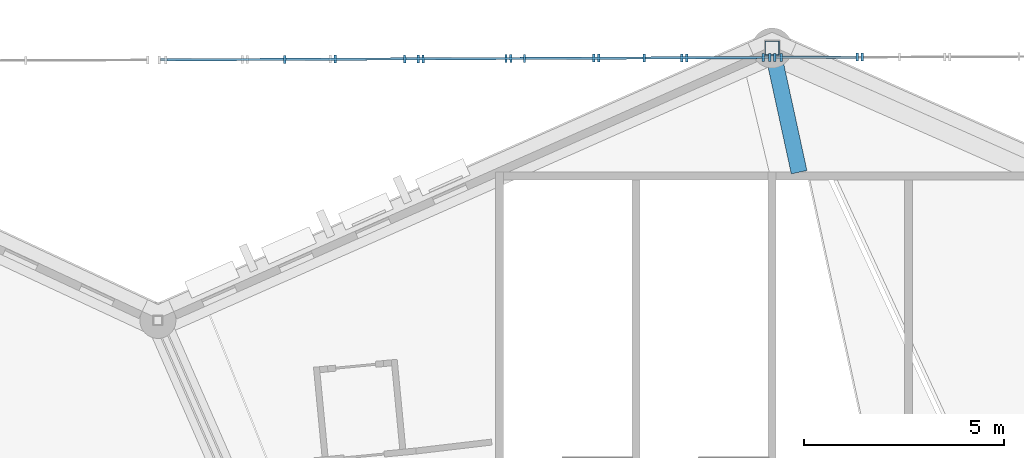
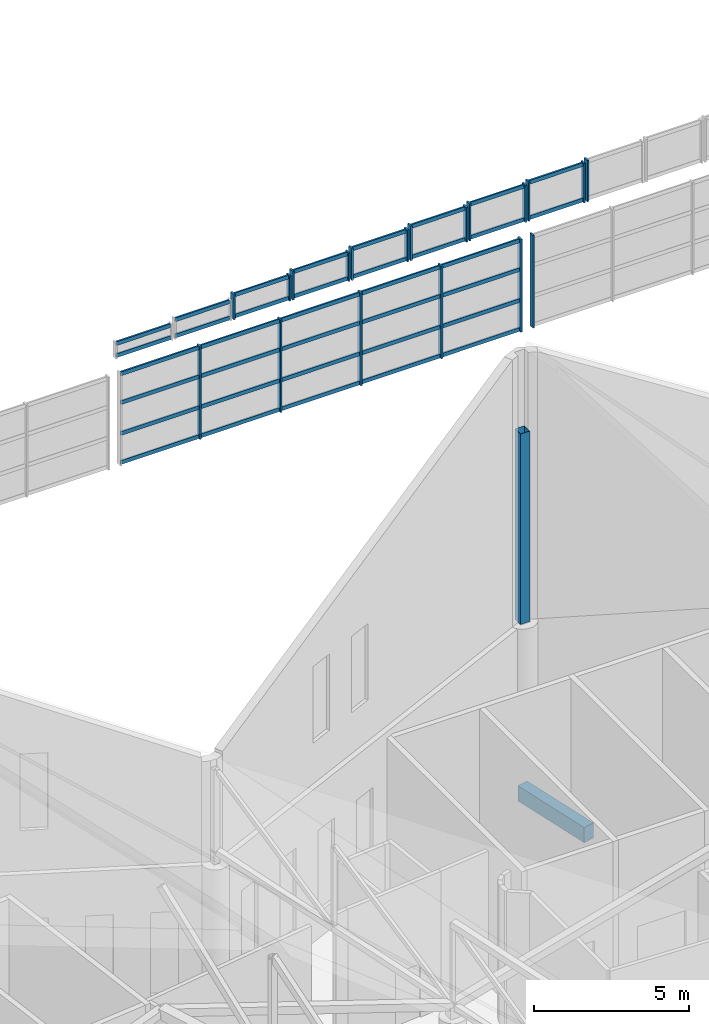
# One storey, part 167 of 344: 56 members, 1 beam, 11 elements without a shape of their own.
"""IFC4 building model written with IfcOpenShell, lengths in metres."""

from ifc_helpers import new_model, si_unit, direction, frame, origin, origin_2d, place, context, subcontext, project, spatial, rectangle, hollow_rectangle, extrude, material, layer, layer_set, material_profile, profile_set, type_object, element, aggregate, save


model = new_model("IFC4")

# Units and contexts
model_context = context("Model", 3, precision=1e-05, world=origin(), true_north=direction((0.0, 1.0)))
body_context = subcontext(model_context, "Body", "Model", "MODEL_VIEW")
ifc_project = project(units=[si_unit("LENGTHUNIT", "METRE"), si_unit("AREAUNIT", "SQUARE_METRE"), si_unit("VOLUMEUNIT", "CUBIC_METRE"), si_unit("PLANEANGLEUNIT", "RADIAN"), si_unit("MASSUNIT", "GRAM", prefix="KILO")], contexts=[model_context])

# Site, building, storey
site_placement = place(None, origin())
site = spatial("IfcSite", under=ifc_project, at=site_placement, CompositionType="ELEMENT")
building_placement = place(site_placement, origin())
building = spatial("IfcBuilding", under=site, at=building_placement, Name="Meseta Stadium", CompositionType="ELEMENT")
storey_placement = place(building_placement, frame((0.0, 0.0, 24.0)))
storey = spatial("IfcBuildingStorey", under=building, at=storey_placement, Name="L04", CompositionType="ELEMENT", Elevation=24.0)

# Curtain wall, member
ifc_material_1 = material(Name="Aluminium", Category="aluminium")
ifc_layer = layer(ifc_material_1, 0.199951171875)
ifc_layer_set = layer_set([ifc_layer], Name="Gable glazing curtain wall")
curtain_wall_type = type_object("IfcCurtainWallType", Name="Gable glazing curtain wall", PredefinedType="NOTDEFINED", material=ifc_layer_set)
curtain_wall_1_placement = place(storey_placement, origin())
curtain_wall_1 = element("IfcCurtainWall", 1, at=curtain_wall_1_placement, inside=storey, type_object=curtain_wall_type, Name="Gable glazing north bay 27", PredefinedType="NOTDEFINED")
ifc_material_2 = material(Name="Aluminium", Category="aluminium")
ifc_material_profile_1 = material_profile(ifc_material_2, rectangle(XDim=0.199951171875, YDim=0.06005859375, at=origin_2d()), Name="CW 200x60")
ifc_profile_set_1 = profile_set([ifc_material_profile_1], Name="Aluminium")
member_type_1 = type_object("IfcMemberType", Name="CW mullion 60x200", PredefinedType="MULLION", material=ifc_profile_set_1)
member_1_placement = place(storey_placement, frame((-20.75048828125, 105.172607421875, 21.85498046875), z_axis=(0.0, 0.0, 1.0), x_axis=(0.003847534233, -0.999992598213, 0.0)))
member_1 = element("IfcMember", 2, at=member_1_placement, type_object=member_type_1, Name="CWG mullion 2", PredefinedType="MULLION", context=body_context, shape_type="SweptSolid", body=[
    extrude(rectangle(XDim=0.199951171875, YDim=0.06005859375, at=origin_2d()), origin(), (0.0, 0.0, 1.0), 1.615966796875),
])
aggregate(curtain_wall_1, [member_1])

# Curtain wall, members
curtain_wall_2_placement = place(storey_placement, origin())
curtain_wall_2 = element("IfcCurtainWall", 3, at=curtain_wall_2_placement, inside=storey, type_object=curtain_wall_type, Name="Gable glazing north bay 28", PredefinedType="NOTDEFINED")
member_2_placement = place(storey_placement, frame((-20.874267578125, 105.172119140625, 21.85498046875), z_axis=(0.0, 0.0, 1.0), x_axis=(0.003847534233, -0.999992598213, 0.0)))
member_2 = element("IfcMember", 4, at=member_2_placement, type_object=member_type_1, Name="CWG mullion 1", PredefinedType="MULLION", context=body_context, shape_type="SweptSolid", body=[
    extrude(rectangle(XDim=0.199951171875, YDim=0.06005859375, at=origin_2d()), origin(), (0.0, 0.0, 1.0), 1.540771484375),
])
member_3_placement = place(storey_placement, frame((-22.93701171875, 105.164306640625, 21.85498046875), z_axis=(0.0, 0.0, 1.0), x_axis=(0.003847534233, -0.999992598213, 0.0)))
member_3 = element("IfcMember", 5, at=member_3_placement, type_object=member_type_1, Name="CWG mullion 2", PredefinedType="MULLION", context=body_context, shape_type="SweptSolid", body=[
    extrude(rectangle(XDim=0.199951171875, YDim=0.06005859375, at=origin_2d()), origin(), (0.0, 0.0, 1.0), 1.540771484375),
])

curtain_wall_3_placement = place(storey_placement, origin())
curtain_wall_3 = element("IfcCurtainWall", 6, at=curtain_wall_3_placement, inside=storey, type_object=curtain_wall_type, Name="Gable glazing north bay 29", PredefinedType="NOTDEFINED")
member_4_placement = place(storey_placement, frame((-23.06103515625, 105.163818359375, 21.85498046875), z_axis=(0.0, 0.0, 1.0), x_axis=(0.003847534181, -0.999992598213, 0.0)))
member_4 = element("IfcMember", 7, at=member_4_placement, type_object=member_type_1, Name="CWG mullion 1", PredefinedType="MULLION", context=body_context, shape_type="SweptSolid", body=[
    extrude(rectangle(XDim=0.199951171875, YDim=0.06005859375, at=origin_2d()), origin(), (0.0, 0.0, 1.0), 1.45361328125),
])
member_5_placement = place(storey_placement, frame((-25.13134765625, 105.15576171875, 21.85498046875), z_axis=(0.0, 0.0, 1.0), x_axis=(0.003847534181, -0.999992598213, 0.0)))
member_5 = element("IfcMember", 8, at=member_5_placement, type_object=member_type_1, Name="CWG mullion 2", PredefinedType="MULLION", context=body_context, shape_type="SweptSolid", body=[
    extrude(rectangle(XDim=0.199951171875, YDim=0.06005859375, at=origin_2d()), origin(), (0.0, 0.0, 1.0), 1.45361328125),
])

curtain_wall_4_placement = place(storey_placement, origin())
curtain_wall_4 = element("IfcCurtainWall", 9, at=curtain_wall_4_placement, inside=storey, type_object=curtain_wall_type, Name="Gable glazing north bay 30", PredefinedType="NOTDEFINED")
member_6_placement = place(storey_placement, frame((-25.25537109375, 105.1552734375, 21.85498046875), z_axis=(0.0, 0.0, 1.0), x_axis=(0.003847534181, -0.999992598213, 0.0)))
member_6 = element("IfcMember", 10, at=member_6_placement, type_object=member_type_1, Name="CWG mullion 1", PredefinedType="MULLION", context=body_context, shape_type="SweptSolid", body=[
    extrude(rectangle(XDim=0.199951171875, YDim=0.06005859375, at=origin_2d()), origin(), (0.0, 0.0, 1.0), 1.3544921875),
])
member_7_placement = place(storey_placement, frame((-27.325439453125, 105.1474609375, 21.85498046875), z_axis=(0.0, 0.0, 1.0), x_axis=(0.003847534181, -0.999992598213, 0.0)))
member_7 = element("IfcMember", 11, at=member_7_placement, type_object=member_type_1, Name="CWG mullion 2", PredefinedType="MULLION", context=body_context, shape_type="SweptSolid", body=[
    extrude(rectangle(XDim=0.199951171875, YDim=0.06005859375, at=origin_2d()), origin(), (0.0, 0.0, 1.0), 1.3544921875),
])

curtain_wall_5_placement = place(storey_placement, origin())
curtain_wall_5 = element("IfcCurtainWall", 12, at=curtain_wall_5_placement, inside=storey, type_object=curtain_wall_type, Name="Gable glazing north bay 31", PredefinedType="NOTDEFINED")
member_8_placement = place(storey_placement, frame((-27.449462890625, 105.14697265625, 21.85498046875), z_axis=(0.0, 0.0, 1.0), x_axis=(0.003847534181, -0.999992598213, 0.0)))
member_8 = element("IfcMember", 13, at=member_8_placement, type_object=member_type_1, Name="CWG mullion 1", PredefinedType="MULLION", context=body_context, shape_type="SweptSolid", body=[
    extrude(rectangle(XDim=0.199951171875, YDim=0.06005859375, at=origin_2d()), origin(), (0.0, 0.0, 1.0), 1.24365234375),
])
member_9_placement = place(storey_placement, frame((-29.51953125, 105.138916015625, 21.85498046875), z_axis=(0.0, 0.0, 1.0), x_axis=(0.003847534181, -0.999992598213, 0.0)))
member_9 = element("IfcMember", 14, at=member_9_placement, type_object=member_type_1, Name="CWG mullion 2", PredefinedType="MULLION", context=body_context, shape_type="SweptSolid", body=[
    extrude(rectangle(XDim=0.199951171875, YDim=0.06005859375, at=origin_2d()), origin(), (0.0, 0.0, 1.0), 1.24365234375),
])

curtain_wall_6_placement = place(storey_placement, origin())
curtain_wall_6 = element("IfcCurtainWall", 15, at=curtain_wall_6_placement, inside=storey, type_object=curtain_wall_type, Name="Gable glazing north bay 32", PredefinedType="NOTDEFINED")
member_10_placement = place(storey_placement, frame((-29.6435546875, 105.138427734375, 21.85498046875), z_axis=(0.0, 0.0, 1.0), x_axis=(0.003847534181, -0.999992598213, 0.0)))
member_10 = element("IfcMember", 16, at=member_10_placement, type_object=member_type_1, Name="CWG mullion 1", PredefinedType="MULLION", context=body_context, shape_type="SweptSolid", body=[
    extrude(rectangle(XDim=0.199951171875, YDim=0.06005859375, at=origin_2d()), origin(), (0.0, 0.0, 1.0), 1.120361328125),
])
member_11_placement = place(storey_placement, frame((-31.7138671875, 105.13037109375, 21.85498046875), z_axis=(0.0, 0.0, 1.0), x_axis=(0.003847534181, -0.999992598213, 0.0)))
member_11 = element("IfcMember", 17, at=member_11_placement, type_object=member_type_1, Name="CWG mullion 2", PredefinedType="MULLION", context=body_context, shape_type="SweptSolid", body=[
    extrude(rectangle(XDim=0.199951171875, YDim=0.06005859375, at=origin_2d()), origin(), (0.0, 0.0, 1.0), 1.120361328125),
])

curtain_wall_7_placement = place(storey_placement, origin())
curtain_wall_7 = element("IfcCurtainWall", 18, at=curtain_wall_7_placement, inside=storey, type_object=curtain_wall_type, Name="Gable glazing north bay 33", PredefinedType="NOTDEFINED")
member_12_placement = place(storey_placement, frame((-31.837890625, 105.130126953125, 21.85498046875), z_axis=(0.0, 0.0, 1.0), x_axis=(0.003847534652, -0.999992598211, 0.0)))
member_12 = element("IfcMember", 19, at=member_12_placement, type_object=member_type_1, Name="CWG mullion 1", PredefinedType="MULLION", context=body_context, shape_type="SweptSolid", body=[
    extrude(rectangle(XDim=0.199951171875, YDim=0.06005859375, at=origin_2d()), origin(), (0.0, 0.0, 1.0), 0.984375),
])
member_13_placement = place(storey_placement, frame((-33.907958984375, 105.1220703125, 21.85498046875), z_axis=(0.0, 0.0, 1.0), x_axis=(0.003847534652, -0.999992598211, 0.0)))
member_13 = element("IfcMember", 20, at=member_13_placement, type_object=member_type_1, Name="CWG mullion 2", PredefinedType="MULLION", context=body_context, shape_type="SweptSolid", body=[
    extrude(rectangle(XDim=0.199951171875, YDim=0.06005859375, at=origin_2d()), origin(), (0.0, 0.0, 1.0), 0.984375),
])

# Curtain wall, member
curtain_wall_8_placement = place(storey_placement, origin())
curtain_wall_8 = element("IfcCurtainWall", 21, at=curtain_wall_8_placement, inside=storey, type_object=curtain_wall_type, Name="Gable glazing north lower bay 04", PredefinedType="NOTDEFINED")
member_14_placement = place(storey_placement, frame((-22.773681640625, 105.164794921875, 17.60009765625), z_axis=(0.0, 0.0, 1.0), x_axis=(0.003847534198, -0.999992598213, 0.0)))
member_14 = element("IfcMember", 22, at=member_14_placement, type_object=member_type_1, Name="CWG mullion 6", PredefinedType="MULLION", context=body_context, shape_type="SweptSolid", body=[
    extrude(rectangle(XDim=0.199951171875, YDim=0.06005859375, at=origin_2d()), origin(), (0.0, 0.0, 1.0), 3.635009765625),
])
aggregate(curtain_wall_8, [member_14])

# Curtain wall, members
curtain_wall_9_placement = place(storey_placement, origin())
curtain_wall_9 = element("IfcCurtainWall", 23, at=curtain_wall_9_placement, inside=storey, type_object=curtain_wall_type, Name="Gable glazing north lower bay 05", PredefinedType="NOTDEFINED")
member_15_placement = place(storey_placement, frame((-23.224609375, 105.1630859375, 17.60009765625), z_axis=(0.0, 0.0, 1.0), x_axis=(0.003847534216, -0.999992598213, 0.0)))
member_15 = element("IfcMember", 24, at=member_15_placement, type_object=member_type_1, Name="CWG mullion 1", PredefinedType="MULLION", context=body_context, shape_type="SweptSolid", body=[
    extrude(rectangle(XDim=0.199951171875, YDim=0.06005859375, at=origin_2d()), origin(), (0.0, 0.0, 1.0), 3.635009765625),
])
member_16_placement = place(storey_placement, frame((-26.188232421875, 105.15185546875, 17.60009765625), z_axis=(0.0, 0.0, 1.0), x_axis=(0.003847534216, -0.999992598213, 0.0)))
member_16 = element("IfcMember", 25, at=member_16_placement, type_object=member_type_1, Name="CWG mullion 2", PredefinedType="MULLION", context=body_context, shape_type="SweptSolid", body=[
    extrude(rectangle(XDim=0.199951171875, YDim=0.06005859375, at=origin_2d()), origin(), (0.0, 0.0, 1.0), 3.635009765625),
])
member_17_placement = place(storey_placement, frame((-29.181884765625, 105.14013671875, 17.60009765625), z_axis=(0.0, 0.0, 1.0), x_axis=(0.003847534216, -0.999992598213, 0.0)))
member_17 = element("IfcMember", 26, at=member_17_placement, type_object=member_type_1, Name="CWG mullion 3", PredefinedType="MULLION", context=body_context, shape_type="SweptSolid", body=[
    extrude(rectangle(XDim=0.199951171875, YDim=0.06005859375, at=origin_2d()), origin(), (0.0, 0.0, 1.0), 3.635009765625),
])
member_18_placement = place(storey_placement, frame((-32.175537109375, 105.128662109375, 17.60009765625), z_axis=(0.0, 0.0, 1.0), x_axis=(0.003847534216, -0.999992598213, 0.0)))
member_18 = element("IfcMember", 27, at=member_18_placement, type_object=member_type_1, Name="CWG mullion 4", PredefinedType="MULLION", context=body_context, shape_type="SweptSolid", body=[
    extrude(rectangle(XDim=0.199951171875, YDim=0.06005859375, at=origin_2d()), origin(), (0.0, 0.0, 1.0), 3.635009765625),
])
member_19_placement = place(storey_placement, frame((-35.169189453125, 105.1171875, 17.60009765625), z_axis=(0.0, 0.0, 1.0), x_axis=(0.003847534216, -0.999992598213, 0.0)))
member_19 = element("IfcMember", 28, at=member_19_placement, type_object=member_type_1, Name="CWG mullion 5", PredefinedType="MULLION", context=body_context, shape_type="SweptSolid", body=[
    extrude(rectangle(XDim=0.199951171875, YDim=0.06005859375, at=origin_2d()), origin(), (0.0, 0.0, 1.0), 3.635009765625),
])

# Member
ifc_material_3 = material(Name="Aluminium", Category="aluminium")
ifc_material_profile_2 = material_profile(ifc_material_3, rectangle(XDim=0.06005859375, YDim=0.14990234375, at=origin_2d()), Name="CW 60x150")
ifc_profile_set_2 = profile_set([ifc_material_profile_2], Name="Aluminium")
member_type_2 = type_object("IfcMemberType", Name="CW transom 60x150", PredefinedType="USERDEFINED", material=ifc_profile_set_2)
member_20_placement = place(storey_placement, frame((-20.904296875, 105.172119140625, 21.929931640625), z_axis=(-0.99999239114, -0.003900982143, 0.0), x_axis=(0.003900982143, -0.99999239114, 0.0)))
member_20 = element("IfcMember", 29, at=member_20_placement, type_object=member_type_2, Name="CWG transom 1.1", ObjectType="TRANSOM", PredefinedType="USERDEFINED", context=body_context, shape_type="SweptSolid", body=[
    extrude(rectangle(XDim=0.06005859375, YDim=0.14990234375, at=origin_2d()), origin(), (0.0, 0.0, 1.0), 2.002685546875),
])

member_21_placement = place(storey_placement, frame((-20.904296875, 105.172119140625, 23.32080078125), z_axis=(-0.99999239114, -0.003900982143, 0.0), x_axis=(0.003900982143, -0.99999239114, 0.0)))
member_21 = element("IfcMember", 30, at=member_21_placement, type_object=member_type_2, Name="CWG transom 1.2", ObjectType="TRANSOM", PredefinedType="USERDEFINED", context=body_context, shape_type="SweptSolid", body=[
    extrude(rectangle(XDim=0.06005859375, YDim=0.14990234375, at=origin_2d()), origin(), (0.0, 0.0, 1.0), 2.002685546875),
])

aggregate(curtain_wall_2, [member_2, member_3, member_20, member_21])

member_22_placement = place(storey_placement, frame((-23.091064453125, 105.16357421875, 21.929931640625), z_axis=(-0.999992912925, -0.003764850656, 0.0), x_axis=(0.003764850656, -0.999992912925, 0.0)))
member_22 = element("IfcMember", 31, at=member_22_placement, type_object=member_type_2, Name="CWG transom 1.1", ObjectType="TRANSOM", PredefinedType="USERDEFINED", context=body_context, shape_type="SweptSolid", body=[
    extrude(rectangle(XDim=0.06005859375, YDim=0.14990234375, at=origin_2d()), origin(), (0.0, 0.0, 1.0), 2.01025390625),
])

member_23_placement = place(storey_placement, frame((-23.091064453125, 105.16357421875, 23.233642578125), z_axis=(-0.999992912925, -0.003764850656, 0.0), x_axis=(0.003764850656, -0.999992912925, 0.0)))
member_23 = element("IfcMember", 32, at=member_23_placement, type_object=member_type_2, Name="CWG transom 1.2", ObjectType="TRANSOM", PredefinedType="USERDEFINED", context=body_context, shape_type="SweptSolid", body=[
    extrude(rectangle(XDim=0.06005859375, YDim=0.14990234375, at=origin_2d()), origin(), (0.0, 0.0, 1.0), 2.01025390625),
])

aggregate(curtain_wall_3, [member_4, member_5, member_22, member_23])

member_24_placement = place(storey_placement, frame((-25.28515625, 105.1552734375, 21.929931640625), z_axis=(-0.999992448325, -0.003886295646, 0.0), x_axis=(0.003886295646, -0.999992448325, 0.0)))
member_24 = element("IfcMember", 33, at=member_24_placement, type_object=member_type_2, Name="CWG transom 1.1", ObjectType="TRANSOM", PredefinedType="USERDEFINED", context=body_context, shape_type="SweptSolid", body=[
    extrude(rectangle(XDim=0.06005859375, YDim=0.14990234375, at=origin_2d()), origin(), (0.0, 0.0, 1.0), 2.01025390625),
])

member_25_placement = place(storey_placement, frame((-25.28515625, 105.1552734375, 23.134521484375), z_axis=(-0.999992448325, -0.003886295646, 0.0), x_axis=(0.003886295646, -0.999992448325, 0.0)))
member_25 = element("IfcMember", 34, at=member_25_placement, type_object=member_type_2, Name="CWG transom 1.2", ObjectType="TRANSOM", PredefinedType="USERDEFINED", context=body_context, shape_type="SweptSolid", body=[
    extrude(rectangle(XDim=0.06005859375, YDim=0.14990234375, at=origin_2d()), origin(), (0.0, 0.0, 1.0), 2.01025390625),
])

aggregate(curtain_wall_4, [member_6, member_7, member_24, member_25])

member_26_placement = place(storey_placement, frame((-27.4794921875, 105.146728515625, 21.929931640625), z_axis=(-0.999992912925, -0.003764850656, 0.0), x_axis=(0.003764850656, -0.999992912925, 0.0)))
member_26 = element("IfcMember", 35, at=member_26_placement, type_object=member_type_2, Name="CWG transom 1.1", ObjectType="TRANSOM", PredefinedType="USERDEFINED", context=body_context, shape_type="SweptSolid", body=[
    extrude(rectangle(XDim=0.06005859375, YDim=0.14990234375, at=origin_2d()), origin(), (0.0, 0.0, 1.0), 2.01025390625),
])

member_27_placement = place(storey_placement, frame((-27.4794921875, 105.146728515625, 23.023681640625), z_axis=(-0.999992912925, -0.003764850656, 0.0), x_axis=(0.003764850656, -0.999992912925, 0.0)))
member_27 = element("IfcMember", 36, at=member_27_placement, type_object=member_type_2, Name="CWG transom 1.2", ObjectType="TRANSOM", PredefinedType="USERDEFINED", context=body_context, shape_type="SweptSolid", body=[
    extrude(rectangle(XDim=0.06005859375, YDim=0.14990234375, at=origin_2d()), origin(), (0.0, 0.0, 1.0), 2.01025390625),
])

aggregate(curtain_wall_5, [member_8, member_9, member_26, member_27])

member_28_placement = place(storey_placement, frame((-29.673583984375, 105.138427734375, 21.929931640625), z_axis=(-0.999992448325, -0.003886295646, 0.0), x_axis=(0.003886295646, -0.999992448325, 0.0)))
member_28 = element("IfcMember", 37, at=member_28_placement, type_object=member_type_2, Name="CWG transom 1.1", ObjectType="TRANSOM", PredefinedType="USERDEFINED", context=body_context, shape_type="SweptSolid", body=[
    extrude(rectangle(XDim=0.06005859375, YDim=0.14990234375, at=origin_2d()), origin(), (0.0, 0.0, 1.0), 2.01025390625),
])

member_29_placement = place(storey_placement, frame((-29.673583984375, 105.138427734375, 22.900390625), z_axis=(-0.999992448325, -0.003886295646, 0.0), x_axis=(0.003886295646, -0.999992448325, 0.0)))
member_29 = element("IfcMember", 38, at=member_29_placement, type_object=member_type_2, Name="CWG transom 1.2", ObjectType="TRANSOM", PredefinedType="USERDEFINED", context=body_context, shape_type="SweptSolid", body=[
    extrude(rectangle(XDim=0.06005859375, YDim=0.14990234375, at=origin_2d()), origin(), (0.0, 0.0, 1.0), 2.01025390625),
])

aggregate(curtain_wall_6, [member_10, member_11, member_28, member_29])

member_30_placement = place(storey_placement, frame((-31.867919921875, 105.1298828125, 21.929931640625), z_axis=(-0.99999244649, -0.003886767677, 0.0), x_axis=(0.003886767677, -0.99999244649, 0.0)))
member_30 = element("IfcMember", 39, at=member_30_placement, type_object=member_type_2, Name="CWG transom 1.1", ObjectType="TRANSOM", PredefinedType="USERDEFINED", context=body_context, shape_type="SweptSolid", body=[
    extrude(rectangle(XDim=0.06005859375, YDim=0.14990234375, at=origin_2d()), origin(), (0.0, 0.0, 1.0), 2.010009765625),
])

member_31_placement = place(storey_placement, frame((-31.867919921875, 105.1298828125, 22.764404296875), z_axis=(-0.99999244649, -0.003886767677, 0.0), x_axis=(0.003886767677, -0.99999244649, 0.0)))
member_31 = element("IfcMember", 40, at=member_31_placement, type_object=member_type_2, Name="CWG transom 1.2", ObjectType="TRANSOM", PredefinedType="USERDEFINED", context=body_context, shape_type="SweptSolid", body=[
    extrude(rectangle(XDim=0.06005859375, YDim=0.14990234375, at=origin_2d()), origin(), (0.0, 0.0, 1.0), 2.010009765625),
])

aggregate(curtain_wall_7, [member_12, member_13, member_30, member_31])

# Curtain wall, members
curtain_wall_10_placement = place(storey_placement, origin())
curtain_wall_10 = element("IfcCurtainWall", 41, at=curtain_wall_10_placement, inside=storey, type_object=curtain_wall_type, Name="Gable glazing north bay 34", PredefinedType="NOTDEFINED")
member_32_placement = place(storey_placement, frame((-34.06201171875, 105.121337890625, 21.929931640625), z_axis=(-0.999992912925, -0.003764850656, 0.0), x_axis=(0.003764850656, -0.999992912925, 0.0)))
member_32 = element("IfcMember", 42, at=member_32_placement, type_object=member_type_2, Name="CWG transom 1.1", ObjectType="TRANSOM", PredefinedType="USERDEFINED", context=body_context, shape_type="SweptSolid", body=[
    extrude(rectangle(XDim=0.06005859375, YDim=0.14990234375, at=origin_2d()), origin(), (0.0, 0.0, 1.0), 2.01025390625),
])
member_33_placement = place(storey_placement, frame((-34.06201171875, 105.121337890625, 22.565673828125), z_axis=(-0.999992912925, -0.003764850656, 0.0), x_axis=(0.003764850656, -0.999992912925, 0.0)))
member_33 = element("IfcMember", 43, at=member_33_placement, type_object=member_type_2, Name="CWG transom 1.2", ObjectType="TRANSOM", PredefinedType="USERDEFINED", context=body_context, shape_type="SweptSolid", body=[
    extrude(rectangle(XDim=0.06005859375, YDim=0.14990234375, at=origin_2d()), origin(), (0.0, 0.0, 1.0), 2.01025390625),
])
aggregate(curtain_wall_10, [member_32, member_33])

curtain_wall_11_placement = place(storey_placement, origin())
curtain_wall_11 = element("IfcCurtainWall", 44, at=curtain_wall_11_placement, inside=storey, type_object=curtain_wall_type, Name="Gable glazing north bay 35", PredefinedType="NOTDEFINED")
member_34_placement = place(storey_placement, frame((-36.256103515625, 105.113037109375, 21.929931640625), z_axis=(-0.999992448325, -0.003886295646, 0.0), x_axis=(0.003886295646, -0.999992448325, 0.0)))
member_34 = element("IfcMember", 45, at=member_34_placement, type_object=member_type_2, Name="CWG transom 1.1", ObjectType="TRANSOM", PredefinedType="USERDEFINED", context=body_context, shape_type="SweptSolid", body=[
    extrude(rectangle(XDim=0.06005859375, YDim=0.14990234375, at=origin_2d()), origin(), (0.0, 0.0, 1.0), 2.01025390625),
])
member_35_placement = place(storey_placement, frame((-36.256103515625, 105.113037109375, 22.40380859375), z_axis=(-0.999992448325, -0.003886295646, 0.0), x_axis=(0.003886295646, -0.999992448325, 0.0)))
member_35 = element("IfcMember", 46, at=member_35_placement, type_object=member_type_2, Name="CWG transom 1.2", ObjectType="TRANSOM", PredefinedType="USERDEFINED", context=body_context, shape_type="SweptSolid", body=[
    extrude(rectangle(XDim=0.06005859375, YDim=0.14990234375, at=origin_2d()), origin(), (0.0, 0.0, 1.0), 2.01025390625),
])
aggregate(curtain_wall_11, [member_34, member_35])

# Member
member_36_placement = place(storey_placement, frame((-23.254638671875, 105.1630859375, 17.675048828125), z_axis=(-0.999992520063, -0.003867792476, 0.0), x_axis=(0.003867792476, -0.999992520063, 0.0)))
member_36 = element("IfcMember", 47, at=member_36_placement, type_object=member_type_2, Name="CWG transom 1.1", ObjectType="TRANSOM", PredefinedType="USERDEFINED", context=body_context, shape_type="SweptSolid", body=[
    extrude(rectangle(XDim=0.06005859375, YDim=0.14990234375, at=origin_2d()), origin(), (0.0, 0.0, 1.0), 2.903564453125),
])

member_37_placement = place(storey_placement, frame((-23.254638671875, 105.1630859375, 18.811767578125), z_axis=(-0.999992520063, -0.003867792476, 0.0), x_axis=(0.003867792476, -0.999992520063, 0.0)))
member_37 = element("IfcMember", 48, at=member_37_placement, type_object=member_type_2, Name="CWG transom 1.2", ObjectType="TRANSOM", PredefinedType="USERDEFINED", context=body_context, shape_type="SweptSolid", body=[
    extrude(rectangle(XDim=0.06005859375, YDim=0.14990234375, at=origin_2d()), origin(), (0.0, 0.0, 1.0), 2.903564453125),
])

member_38_placement = place(storey_placement, frame((-23.254638671875, 105.1630859375, 20.0234375), z_axis=(-0.999992520063, -0.003867792476, 0.0), x_axis=(0.003867792476, -0.999992520063, 0.0)))
member_38 = element("IfcMember", 49, at=member_38_placement, type_object=member_type_2, Name="CWG transom 1.3", ObjectType="TRANSOM", PredefinedType="USERDEFINED", context=body_context, shape_type="SweptSolid", body=[
    extrude(rectangle(XDim=0.06005859375, YDim=0.14990234375, at=origin_2d()), origin(), (0.0, 0.0, 1.0), 2.903564453125),
])

member_39_placement = place(storey_placement, frame((-23.254638671875, 105.1630859375, 21.159912109375), z_axis=(-0.999992520063, -0.003867792476, 0.0), x_axis=(0.003867792476, -0.999992520063, 0.0)))
member_39 = element("IfcMember", 50, at=member_39_placement, type_object=member_type_2, Name="CWG transom 1.4", ObjectType="TRANSOM", PredefinedType="USERDEFINED", context=body_context, shape_type="SweptSolid", body=[
    extrude(rectangle(XDim=0.06005859375, YDim=0.14990234375, at=origin_2d()), origin(), (0.0, 0.0, 1.0), 2.903564453125),
])

member_40_placement = place(storey_placement, frame((-26.21826171875, 105.151611328125, 17.675048828125), z_axis=(-0.999992672412, -0.003828200976, 0.0), x_axis=(0.003828200976, -0.999992672412, 0.0)))
member_40 = element("IfcMember", 51, at=member_40_placement, type_object=member_type_2, Name="CWG transom 2.1", ObjectType="TRANSOM", PredefinedType="USERDEFINED", context=body_context, shape_type="SweptSolid", body=[
    extrude(rectangle(XDim=0.06005859375, YDim=0.14990234375, at=origin_2d()), origin(), (0.0, 0.0, 1.0), 2.93359375),
])

member_41_placement = place(storey_placement, frame((-26.21826171875, 105.151611328125, 18.811767578125), z_axis=(-0.999992672412, -0.003828200976, 0.0), x_axis=(0.003828200976, -0.999992672412, 0.0)))
member_41 = element("IfcMember", 52, at=member_41_placement, type_object=member_type_2, Name="CWG transom 2.2", ObjectType="TRANSOM", PredefinedType="USERDEFINED", context=body_context, shape_type="SweptSolid", body=[
    extrude(rectangle(XDim=0.06005859375, YDim=0.14990234375, at=origin_2d()), origin(), (0.0, 0.0, 1.0), 2.93359375),
])

member_42_placement = place(storey_placement, frame((-26.21826171875, 105.151611328125, 20.0234375), z_axis=(-0.999992672412, -0.003828200976, 0.0), x_axis=(0.003828200976, -0.999992672412, 0.0)))
member_42 = element("IfcMember", 53, at=member_42_placement, type_object=member_type_2, Name="CWG transom 2.3", ObjectType="TRANSOM", PredefinedType="USERDEFINED", context=body_context, shape_type="SweptSolid", body=[
    extrude(rectangle(XDim=0.06005859375, YDim=0.14990234375, at=origin_2d()), origin(), (0.0, 0.0, 1.0), 2.93359375),
])

member_43_placement = place(storey_placement, frame((-26.21826171875, 105.151611328125, 21.159912109375), z_axis=(-0.999992672412, -0.003828200976, 0.0), x_axis=(0.003828200976, -0.999992672412, 0.0)))
member_43 = element("IfcMember", 54, at=member_43_placement, type_object=member_type_2, Name="CWG transom 2.4", ObjectType="TRANSOM", PredefinedType="USERDEFINED", context=body_context, shape_type="SweptSolid", body=[
    extrude(rectangle(XDim=0.06005859375, YDim=0.14990234375, at=origin_2d()), origin(), (0.0, 0.0, 1.0), 2.93359375),
])

member_44_placement = place(storey_placement, frame((-29.2119140625, 105.14013671875, 17.675048828125), z_axis=(-0.999992672412, -0.003828200976, 0.0), x_axis=(0.003828200976, -0.999992672412, 0.0)))
member_44 = element("IfcMember", 55, at=member_44_placement, type_object=member_type_2, Name="CWG transom 3.1", ObjectType="TRANSOM", PredefinedType="USERDEFINED", context=body_context, shape_type="SweptSolid", body=[
    extrude(rectangle(XDim=0.06005859375, YDim=0.14990234375, at=origin_2d()), origin(), (0.0, 0.0, 1.0), 2.93359375),
])

member_45_placement = place(storey_placement, frame((-29.2119140625, 105.14013671875, 18.811767578125), z_axis=(-0.999992672412, -0.003828200976, 0.0), x_axis=(0.003828200976, -0.999992672412, 0.0)))
member_45 = element("IfcMember", 56, at=member_45_placement, type_object=member_type_2, Name="CWG transom 3.2", ObjectType="TRANSOM", PredefinedType="USERDEFINED", context=body_context, shape_type="SweptSolid", body=[
    extrude(rectangle(XDim=0.06005859375, YDim=0.14990234375, at=origin_2d()), origin(), (0.0, 0.0, 1.0), 2.93359375),
])

member_46_placement = place(storey_placement, frame((-29.2119140625, 105.14013671875, 20.0234375), z_axis=(-0.999992672412, -0.003828200976, 0.0), x_axis=(0.003828200976, -0.999992672412, 0.0)))
member_46 = element("IfcMember", 57, at=member_46_placement, type_object=member_type_2, Name="CWG transom 3.3", ObjectType="TRANSOM", PredefinedType="USERDEFINED", context=body_context, shape_type="SweptSolid", body=[
    extrude(rectangle(XDim=0.06005859375, YDim=0.14990234375, at=origin_2d()), origin(), (0.0, 0.0, 1.0), 2.93359375),
])

member_47_placement = place(storey_placement, frame((-29.2119140625, 105.14013671875, 21.159912109375), z_axis=(-0.999992672412, -0.003828200976, 0.0), x_axis=(0.003828200976, -0.999992672412, 0.0)))
member_47 = element("IfcMember", 58, at=member_47_placement, type_object=member_type_2, Name="CWG transom 3.4", ObjectType="TRANSOM", PredefinedType="USERDEFINED", context=body_context, shape_type="SweptSolid", body=[
    extrude(rectangle(XDim=0.06005859375, YDim=0.14990234375, at=origin_2d()), origin(), (0.0, 0.0, 1.0), 2.93359375),
])

member_48_placement = place(storey_placement, frame((-32.20556640625, 105.128662109375, 17.675048828125), z_axis=(-0.999992672412, -0.003828200976, 0.0), x_axis=(0.003828200976, -0.999992672412, 0.0)))
member_48 = element("IfcMember", 59, at=member_48_placement, type_object=member_type_2, Name="CWG transom 4.1", ObjectType="TRANSOM", PredefinedType="USERDEFINED", context=body_context, shape_type="SweptSolid", body=[
    extrude(rectangle(XDim=0.06005859375, YDim=0.14990234375, at=origin_2d()), origin(), (0.0, 0.0, 1.0), 2.93359375),
])

member_49_placement = place(storey_placement, frame((-32.20556640625, 105.128662109375, 18.811767578125), z_axis=(-0.999992672412, -0.003828200976, 0.0), x_axis=(0.003828200976, -0.999992672412, 0.0)))
member_49 = element("IfcMember", 60, at=member_49_placement, type_object=member_type_2, Name="CWG transom 4.2", ObjectType="TRANSOM", PredefinedType="USERDEFINED", context=body_context, shape_type="SweptSolid", body=[
    extrude(rectangle(XDim=0.06005859375, YDim=0.14990234375, at=origin_2d()), origin(), (0.0, 0.0, 1.0), 2.93359375),
])

member_50_placement = place(storey_placement, frame((-32.20556640625, 105.128662109375, 20.0234375), z_axis=(-0.999992672412, -0.003828200976, 0.0), x_axis=(0.003828200976, -0.999992672412, 0.0)))
member_50 = element("IfcMember", 61, at=member_50_placement, type_object=member_type_2, Name="CWG transom 4.3", ObjectType="TRANSOM", PredefinedType="USERDEFINED", context=body_context, shape_type="SweptSolid", body=[
    extrude(rectangle(XDim=0.06005859375, YDim=0.14990234375, at=origin_2d()), origin(), (0.0, 0.0, 1.0), 2.93359375),
])

member_51_placement = place(storey_placement, frame((-32.20556640625, 105.128662109375, 21.159912109375), z_axis=(-0.999992672412, -0.003828200976, 0.0), x_axis=(0.003828200976, -0.999992672412, 0.0)))
member_51 = element("IfcMember", 62, at=member_51_placement, type_object=member_type_2, Name="CWG transom 4.4", ObjectType="TRANSOM", PredefinedType="USERDEFINED", context=body_context, shape_type="SweptSolid", body=[
    extrude(rectangle(XDim=0.06005859375, YDim=0.14990234375, at=origin_2d()), origin(), (0.0, 0.0, 1.0), 2.93359375),
])

member_52_placement = place(storey_placement, frame((-35.19921875, 105.1171875, 17.675048828125), z_axis=(-0.999992520063, -0.003867792476, 0.0), x_axis=(0.003867792476, -0.999992520063, 0.0)))
member_52 = element("IfcMember", 63, at=member_52_placement, type_object=member_type_2, Name="CWG transom 5.1", ObjectType="TRANSOM", PredefinedType="USERDEFINED", context=body_context, shape_type="SweptSolid", body=[
    extrude(rectangle(XDim=0.06005859375, YDim=0.14990234375, at=origin_2d()), origin(), (0.0, 0.0, 1.0), 2.903564453125),
])

member_53_placement = place(storey_placement, frame((-35.19921875, 105.1171875, 18.811767578125), z_axis=(-0.999992520063, -0.003867792476, 0.0), x_axis=(0.003867792476, -0.999992520063, 0.0)))
member_53 = element("IfcMember", 64, at=member_53_placement, type_object=member_type_2, Name="CWG transom 5.2", ObjectType="TRANSOM", PredefinedType="USERDEFINED", context=body_context, shape_type="SweptSolid", body=[
    extrude(rectangle(XDim=0.06005859375, YDim=0.14990234375, at=origin_2d()), origin(), (0.0, 0.0, 1.0), 2.903564453125),
])

member_54_placement = place(storey_placement, frame((-35.19921875, 105.1171875, 20.0234375), z_axis=(-0.999992520063, -0.003867792476, 0.0), x_axis=(0.003867792476, -0.999992520063, 0.0)))
member_54 = element("IfcMember", 65, at=member_54_placement, type_object=member_type_2, Name="CWG transom 5.3", ObjectType="TRANSOM", PredefinedType="USERDEFINED", context=body_context, shape_type="SweptSolid", body=[
    extrude(rectangle(XDim=0.06005859375, YDim=0.14990234375, at=origin_2d()), origin(), (0.0, 0.0, 1.0), 2.903564453125),
])

member_55_placement = place(storey_placement, frame((-35.19921875, 105.1171875, 21.159912109375), z_axis=(-0.999992520063, -0.003867792476, 0.0), x_axis=(0.003867792476, -0.999992520063, 0.0)))
member_55 = element("IfcMember", 66, at=member_55_placement, type_object=member_type_2, Name="CWG transom 5.4", ObjectType="TRANSOM", PredefinedType="USERDEFINED", context=body_context, shape_type="SweptSolid", body=[
    extrude(rectangle(XDim=0.06005859375, YDim=0.14990234375, at=origin_2d()), origin(), (0.0, 0.0, 1.0), 2.903564453125),
])

aggregate(curtain_wall_9, [member_15, member_16, member_17, member_18, member_19, member_36, member_37, member_38, member_39, member_40, member_41, member_42, member_43, member_44, member_45, member_46, member_47, member_48, member_49, member_50, member_51, member_52, member_53, member_54, member_55])

# Beam
ifc_material_4 = material(Name="Concrete C40/50", Category="concrete")
ifc_material_profile_3 = material_profile(ifc_material_4, rectangle(XDim=0.39990234375, YDim=0.60009765625, at=origin_2d()), Name="RC 400x600")
ifc_profile_set_3 = profile_set([ifc_material_profile_3], Name="Concrete C40/50")
beam_type = type_object("IfcBeamType", Name="RC beam 400x600", PredefinedType="BEAM", material=ifc_profile_set_3)
beam_placement = place(storey_placement, frame((-22.3251953125, 102.300048828125, -0.699951171875), z_axis=(-0.212707595725, 0.977115898305, 0.0), x_axis=(-0.977115898305, -0.212707595725, 0.0)))
element("IfcBeam", 67, at=beam_placement, inside=storey, type_object=beam_type, Name="L04 radial beam frame 20 line P to R", PredefinedType="BEAM", context=body_context, shape_type="SweptSolid", body=[
    extrude(rectangle(XDim=0.39990234375, YDim=0.60009765625, at=origin_2d()), origin(), (0.0, 0.0, 1.0), 3.17236328125),
])

# Member
ifc_material_5 = material(Name="Steel S355", Category="steel")
ifc_material_profile_4 = material_profile(ifc_material_5, hollow_rectangle(XDim=0.35009765625, YDim=0.35009765625, WallThickness=0.010009765625, at=origin_2d()), Name="SHS 350x350x10")
ifc_profile_set_4 = profile_set([ifc_material_profile_4], Name="Steel S355")
member_type_3 = type_object("IfcMemberType", Name="SHS 350x350x10 rim post", PredefinedType="POST", material=ifc_profile_set_4)
member_56_placement = place(storey_placement, frame((-23.0, 105.39990234375, 6.0), z_axis=(0.0, 0.0, 1.0), x_axis=(1.0, 0.0, 0.0)))
element("IfcMember", 68, at=member_56_placement, inside=storey, type_object=member_type_3, Name="ROOF RIM POST RT-20", PredefinedType="POST", context=body_context, shape_type="SweptSolid", body=[
    extrude(hollow_rectangle(XDim=0.35009765625, YDim=0.35009765625, WallThickness=0.010009765625, at=origin_2d()), origin(), (0.0, 0.0, 1.0), 7.481689453125),
])

save(model, "model.ifc")
